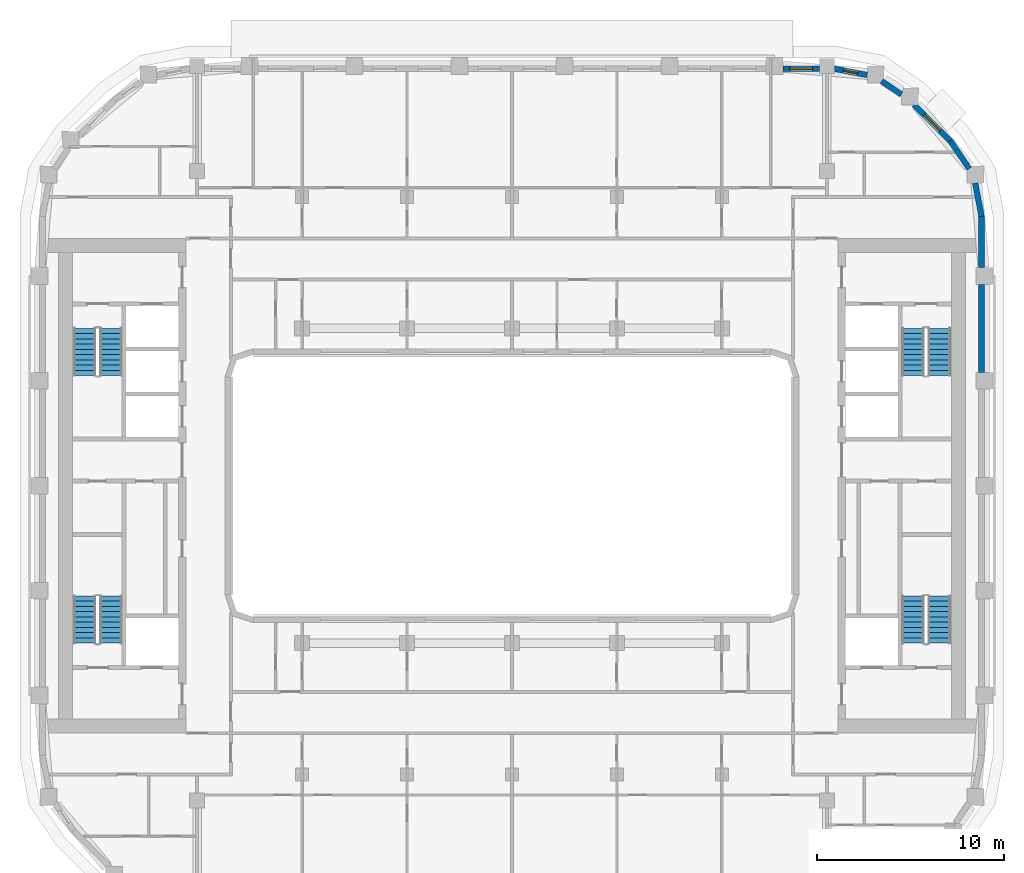
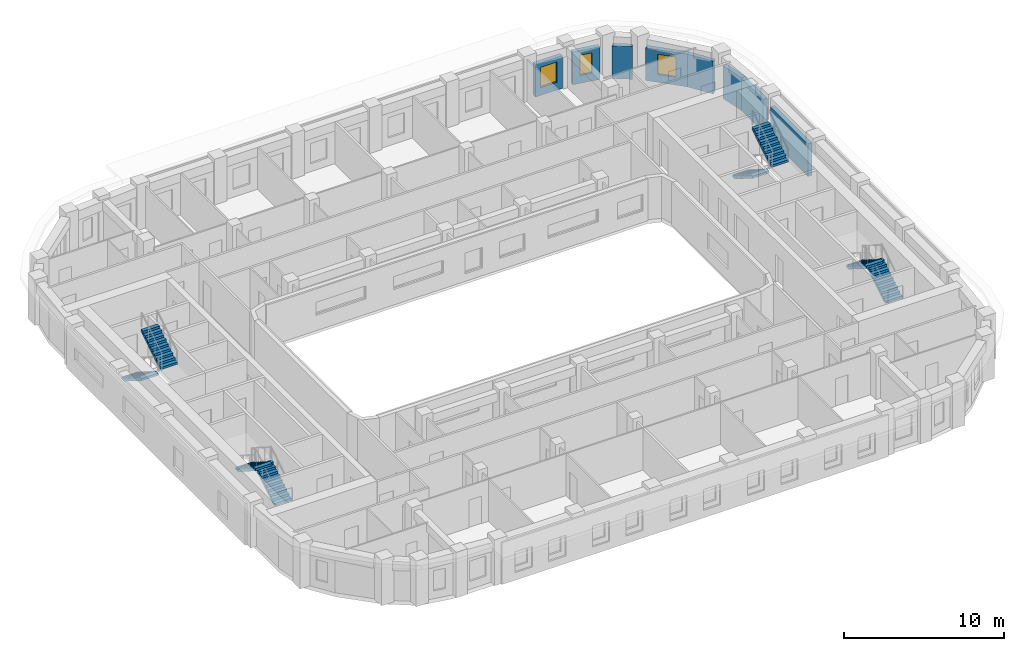
# One storey, part 9 of 20: 8 stair flights, 8 walls, 3 windows, 3 openings, 4 elements without a shape of their own.
"""IFC4 building model written with IfcOpenShell, lengths in metres."""

from ifc_helpers import new_model, si_unit, direction, frame, frame_2d, origin, place, context, subcontext, project, spatial, polyline, rectangle, outline, extrude, material, layer, layer_set, type_object, element, fill, aggregate, save


model = new_model("IFC4")

# Units and contexts
model_context = context("Model", 3, precision=1e-05, world=origin(), true_north=direction((0.0, 1.0)))
body_context = subcontext(model_context, "Body", "Model", "MODEL_VIEW")
ifc_project = project(units=[si_unit("LENGTHUNIT", "METRE"), si_unit("AREAUNIT", "SQUARE_METRE"), si_unit("VOLUMEUNIT", "CUBIC_METRE"), si_unit("PLANEANGLEUNIT", "RADIAN"), si_unit("MASSUNIT", "GRAM", prefix="KILO")], contexts=[model_context])

# Site, building, storey
site_placement = place(None, origin())
site = spatial("IfcSite", under=ifc_project, at=site_placement, CompositionType="ELEMENT")
building_placement = place(site_placement, origin())
building = spatial("IfcBuilding", under=site, at=building_placement, Name="Kiln Ring Residences", CompositionType="ELEMENT")
storey_placement = place(building_placement, frame((0.0, 0.0, 206.39990234375)))
storey = spatial("IfcBuildingStorey", under=building, at=storey_placement, Name="L53", CompositionType="ELEMENT", Elevation=206.39990234375)

# Walls
ifc_material_1 = material(Name="Brick masonry, dark clay brick", Category="masonry")
ifc_layer = layer(ifc_material_1, 0.300048828125)
ifc_layer_set = layer_set([ifc_layer], Name="EW-300 BRICK WALL")
wall_type = type_object("IfcWallType", Name="EW-300 BRICK WALL", PredefinedType="SOLIDWALL", material=ifc_layer_set)
wall_1_placement = place(storey_placement, frame((25.050048828125, 6.050048828125, 0.0), z_axis=(0.0, 0.0, 1.0), x_axis=(0.0, 1.0, 0.0)))
element("IfcWall", 1, at=wall_1_placement, inside=storey, type_object=wall_type, Name="Facade wall L53 20", PredefinedType="SOLIDWALL", context=body_context, shape_type="SweptSolid", body=[
    extrude(rectangle(XDim=4.699951171875, YDim=0.300048828125, at=frame_2d((2.35009765625, 0.0))), origin(), (0.0, 0.0, 1.0), 2.5),
])
wall_2_placement = place(storey_placement, frame((25.050048828125, 11.64990234375, 0.0), z_axis=(0.0, 0.0, 1.0), x_axis=(0.0, 1.0, 0.0)))
element("IfcWall", 2, at=wall_2_placement, inside=storey, type_object=wall_type, Name="Facade wall L53 21", PredefinedType="SOLIDWALL", context=body_context, shape_type="SweptSolid", body=[
    extrude(rectangle(XDim=2.75, YDim=0.300048828125, at=frame_2d((1.375, 0.0))), origin(), (0.0, 0.0, 1.0), 2.5),
])
for number, where, z_axis, x_axis, name in (
    (3, (25.052734375, 14.371826171875, 0.0), (0.0, 0.0, 1.0), (-0.187348135549, 0.982293579388, 0.0), "Facade wall L53 22"),
    (4, (24.39404296875, 16.9189453125, 0.0), (0.0, 0.0, 1.0), (-0.562040093569, 0.827109988588, 0.0), "Facade wall L53 23"),
):
    element("IfcWall", number, at=place(storey_placement, frame(where, z_axis=z_axis, x_axis=x_axis)), inside=storey, type_object=wall_type, Name=name, PredefinedType="SOLIDWALL", context=body_context, shape_type="SweptSolid", body=[
        extrude(rectangle(XDim=1.80615234375, YDim=0.300048828125, at=frame_2d((0.903076171875, 0.0))), origin(), (0.0, 0.0, 1.0), 2.5),
    ])

# Wall, opening, window
wall_3_placement = place(storey_placement, frame((23.39697265625, 18.390869140625, 0.0), z_axis=(0.0, 0.0, 1.0), x_axis=(-0.707106781187, 0.707106781187, 0.0)))
wall_3 = element("IfcWall", 5, at=wall_3_placement, inside=storey, type_object=wall_type, Name="Facade wall L53 24", PredefinedType="SOLIDWALL", context=body_context, shape_type="SweptSolid", body=[
    extrude(rectangle(XDim=2.75, YDim=0.300048828125, at=frame_2d((1.375, 0.0))), origin(), (0.0, 0.0, 1.0), 2.5),
])
opening_1_placement = place(wall_3_placement, frame((0.77490234375, 0.0, 0.60009765625)))
opening_1 = element("IfcOpeningElement", 6, at=opening_1_placement, cuts=wall_3, Name="Opening W1", PredefinedType="OPENING", context=body_context, shape_type="SweptSolid", body=[
    extrude(rectangle(XDim=1.199951171875, YDim=1.550048828125, at=frame_2d((0.60009765625, 0.77490234375))), frame((0.0, 0.159912109375, 0.0), z_axis=(0.0, -1.0, 0.0), x_axis=(1.0, 0.0, 0.0)), (0.0, 0.0, 1.0), 0.320068359375),
])
ifc_material_2 = material(Name="Aluminium frame with double glazing", Category="aluminium")
window_type_1 = type_object("IfcWindowType", Name="WINDOW 1200 x 1550", PartitioningType="SINGLE_PANEL", PredefinedType="WINDOW", material=ifc_material_2)
window_1_placement = place(opening_1_placement, origin())
window_1 = element("IfcWindow", 7, at=window_1_placement, inside=storey, type_object=window_type_1, Name="Window L53 17", OverallHeight=1.550048828125, OverallWidth=1.199951171875, PartitioningType="SINGLE_PANEL", PredefinedType="WINDOW", context=body_context, shape_type="SweptSolid", body=[
    extrude(rectangle(XDim=1.199951171875, YDim=1.550048828125, at=frame_2d((0.60009765625, 0.77490234375))), frame((0.0, 0.030029296875, 0.0), z_axis=(0.0, -1.0, 0.0), x_axis=(1.0, 0.0, 0.0)), (0.0, 0.0, 1.0), 0.06005859375),
])
fill(opening_1, window_1)

# Wall
wall_4_placement = place(storey_placement, frame((20.775146484375, 20.876220703125, 0.0), z_axis=(0.0, 0.0, 1.0), x_axis=(-0.827075824828, 0.562090366388, 0.0)))
element("IfcWall", 8, at=wall_4_placement, inside=storey, type_object=wall_type, Name="Facade wall L53 25", PredefinedType="SOLIDWALL", context=body_context, shape_type="SweptSolid", body=[
    extrude(rectangle(XDim=1.27685546875, YDim=0.300048828125, at=frame_2d((0.638427734375, 0.0))), origin(), (0.0, 0.0, 1.0), 2.5),
])

# Wall, opening, window
wall_5_placement = place(storey_placement, frame((18.946044921875, 21.914306640625, 0.0), z_axis=(0.0, 0.0, 1.0), x_axis=(-0.98230529033, 0.187286722942, 0.0)))
wall_5 = element("IfcWall", 9, at=wall_5_placement, inside=storey, type_object=wall_type, Name="Facade wall L53 26", PredefinedType="SOLIDWALL", context=body_context, shape_type="SweptSolid", body=[
    extrude(rectangle(XDim=1.798828125, YDim=0.300048828125, at=frame_2d((0.8994140625, 0.0))), origin(), (0.0, 0.0, 1.0), 2.5),
])
opening_2_placement = place(wall_5_placement, frame((0.49951171875, 0.0, 0.60009765625)))
opening_2 = element("IfcOpeningElement", 10, at=opening_2_placement, cuts=wall_5, Name="Opening W5", PredefinedType="OPENING", context=body_context, shape_type="SweptSolid", body=[
    extrude(rectangle(XDim=0.800048828125, YDim=1.550048828125, at=frame_2d((0.39990234375, 0.77490234375))), frame((0.0, 0.159912109375, 0.0), z_axis=(0.0, -1.0, 0.0), x_axis=(1.0, 0.0, 0.0)), (0.0, 0.0, 1.0), 0.320068359375),
])
ifc_material_3 = material(Name="Aluminium frame with double glazing", Category="aluminium")
window_type_2 = type_object("IfcWindowType", Name="WINDOW 800 x 1550", PartitioningType="SINGLE_PANEL", PredefinedType="WINDOW", material=ifc_material_3)
window_2_placement = place(opening_2_placement, origin())
window_2 = element("IfcWindow", 11, at=window_2_placement, inside=storey, type_object=window_type_2, Name="Window L53 18", OverallHeight=1.550048828125, OverallWidth=0.800048828125, PartitioningType="SINGLE_PANEL", PredefinedType="WINDOW", context=body_context, shape_type="SweptSolid", body=[
    extrude(rectangle(XDim=0.800048828125, YDim=1.550048828125, at=frame_2d((0.39990234375, 0.77490234375))), frame((0.0, 0.030029296875, 0.0), z_axis=(0.0, -1.0, 0.0), x_axis=(1.0, 0.0, 0.0)), (0.0, 0.0, 1.0), 0.06005859375),
])
fill(opening_2, window_2)

wall_6_placement = place(storey_placement, frame((16.39990234375, 22.25, 0.0), z_axis=(0.0, 0.0, 1.0), x_axis=(-1.0, 0.0, 0.0)))
wall_6 = element("IfcWall", 12, at=wall_6_placement, inside=storey, type_object=wall_type, Name="Facade wall L53 27", PredefinedType="SOLIDWALL", context=body_context, shape_type="SweptSolid", body=[
    extrude(rectangle(XDim=1.949951171875, YDim=0.300048828125, at=frame_2d((0.97509765625, 0.0))), origin(), (0.0, 0.0, 1.0), 2.5),
])
opening_3_placement = place(wall_6_placement, frame((0.375, 0.0, 0.60009765625)))
opening_3 = element("IfcOpeningElement", 13, at=opening_3_placement, cuts=wall_6, Name="Opening W1", PredefinedType="OPENING", context=body_context, shape_type="SweptSolid", body=[
    extrude(rectangle(XDim=1.199951171875, YDim=1.550048828125, at=frame_2d((0.60009765625, 0.77490234375))), frame((0.0, 0.159912109375, 0.0), z_axis=(0.0, -1.0, 0.0), x_axis=(1.0, 0.0, 0.0)), (0.0, 0.0, 1.0), 0.320068359375),
])
window_3_placement = place(opening_3_placement, origin())
window_3 = element("IfcWindow", 14, at=window_3_placement, inside=storey, type_object=window_type_1, Name="Window L53 19", OverallHeight=1.550048828125, OverallWidth=1.199951171875, PartitioningType="SINGLE_PANEL", PredefinedType="WINDOW", context=body_context, shape_type="SweptSolid", body=[
    extrude(rectangle(XDim=1.199951171875, YDim=1.550048828125, at=frame_2d((0.60009765625, 0.77490234375))), frame((0.0, 0.030029296875, 0.0), z_axis=(0.0, -1.0, 0.0), x_axis=(1.0, 0.0, 0.0)), (0.0, 0.0, 1.0), 0.06005859375),
])
fill(opening_3, window_3)

# Stair, stair flights
ifc_material_4 = material(Name="Concrete C40/50", Category="concrete")
stair_type = type_object("IfcStairType", Name="CORE-STAIR", PredefinedType="HALF_TURN_STAIR", material=ifc_material_4)
placement = place(storey_placement, origin())
stair_1 = element("IfcStair", 15, at=placement, inside=storey, type_object=stair_type, Name="L53 stair W-STN", PredefinedType="HALF_TURN_STAIR")
ifc_material_5 = material(Name="Concrete C40/50", Category="concrete")
stair_flight_type = type_object("IfcStairFlightType", Name="CORE-STAIR-FLIGHT", PredefinedType="STRAIGHT", material=ifc_material_5)
stair_flight_1_placement = place(storey_placement, frame((-22.800048828125, 8.39990234375, 0.0), z_axis=(0.0, 0.0, 1.0), x_axis=(0.0, -1.0, 0.0)))
stair_flight_1 = element("IfcStairFlight", 16, at=stair_flight_1_placement, type_object=stair_flight_type, Name="W-STN flight 1", NumberOfRisers=10, NumberOfTreads=9, PredefinedType="STRAIGHT", RiserHeight=0.175, TreadLength=0.28, context=body_context, shape_type="SweptSolid", body=[
    extrude(outline(polyline([(0.0, 0.0), (0.0, 0.175048828125), (0.280029296875, 0.175048828125), (0.280029296875, 0.35009765625), (0.56005859375, 0.35009765625), (0.56005859375, 0.52490234375), (0.840087890625, 0.52490234375), (0.840087890625, 0.699951171875), (1.1201171875, 0.699951171875), (1.1201171875, 0.875), (1.39990234375, 0.875), (1.39990234375, 1.050048828125), (1.679931640625, 1.050048828125), (1.679931640625, 1.22509765625), (1.9599609375, 1.22509765625), (1.9599609375, 1.39990234375), (2.239990234375, 1.39990234375), (2.239990234375, 1.574951171875), (2.52001953125, 1.574951171875), (2.52001953125, 1.75), (2.52001953125, 1.398193359375), (0.28271484375, 0.0), (0.0, 0.0)])), frame((0.0, 0.60009765625, 0.0), z_axis=(0.0, -1.0, 0.0), x_axis=(1.0, 0.0, 0.0)), (0.0, 0.0, 1.0), 1.199951171875),
])
stair_flight_2_placement = place(storey_placement, frame((-21.39990234375, 5.8798828125, 1.75), z_axis=(0.0, 0.0, 1.0), x_axis=(0.0, 1.0, 0.0)))
stair_flight_2 = element("IfcStairFlight", 17, at=stair_flight_2_placement, type_object=stair_flight_type, Name="W-STN flight 2", NumberOfRisers=10, NumberOfTreads=9, PredefinedType="STRAIGHT", RiserHeight=0.175, TreadLength=0.28, context=body_context, shape_type="SweptSolid", body=[
    extrude(outline(polyline([(0.0, 0.0), (0.0, 0.175048828125), (0.280029296875, 0.175048828125), (0.280029296875, 0.35009765625), (0.56005859375, 0.35009765625), (0.56005859375, 0.52490234375), (0.840087890625, 0.52490234375), (0.840087890625, 0.699951171875), (1.1201171875, 0.699951171875), (1.1201171875, 0.875), (1.39990234375, 0.875), (1.39990234375, 1.050048828125), (1.679931640625, 1.050048828125), (1.679931640625, 1.22509765625), (1.9599609375, 1.22509765625), (1.9599609375, 1.39990234375), (2.239990234375, 1.39990234375), (2.239990234375, 1.574951171875), (2.52001953125, 1.574951171875), (2.52001953125, 1.75), (2.52001953125, 1.398193359375), (0.28271484375, 0.0), (0.0, 0.0)])), frame((0.0, 0.60009765625, 0.0), z_axis=(0.0, -1.0, 0.0), x_axis=(1.0, 0.0, 0.0)), (0.0, 0.0, 1.0), 1.199951171875),
])
aggregate(stair_1, [stair_flight_1, stair_flight_2])

stair_2 = element("IfcStair", 18, at=placement, inside=storey, type_object=stair_type, Name="L53 stair W-STS", PredefinedType="HALF_TURN_STAIR")
stair_flight_3_placement = place(storey_placement, frame((-21.39990234375, -8.39990234375, 0.0), z_axis=(0.0, 0.0, 1.0), x_axis=(0.0, 1.0, 0.0)))
stair_flight_3 = element("IfcStairFlight", 19, at=stair_flight_3_placement, type_object=stair_flight_type, Name="W-STS flight 1", NumberOfRisers=10, NumberOfTreads=9, PredefinedType="STRAIGHT", RiserHeight=0.175, TreadLength=0.28, context=body_context, shape_type="SweptSolid", body=[
    extrude(outline(polyline([(0.0, 0.0), (0.0, 0.175048828125), (0.280029296875, 0.175048828125), (0.280029296875, 0.35009765625), (0.56005859375, 0.35009765625), (0.56005859375, 0.52490234375), (0.840087890625, 0.52490234375), (0.840087890625, 0.699951171875), (1.1201171875, 0.699951171875), (1.1201171875, 0.875), (1.39990234375, 0.875), (1.39990234375, 1.050048828125), (1.679931640625, 1.050048828125), (1.679931640625, 1.22509765625), (1.9599609375, 1.22509765625), (1.9599609375, 1.39990234375), (2.239990234375, 1.39990234375), (2.239990234375, 1.574951171875), (2.52001953125, 1.574951171875), (2.52001953125, 1.75), (2.52001953125, 1.398193359375), (0.28271484375, 0.0), (0.0, 0.0)])), frame((0.0, 0.60009765625, 0.0), z_axis=(0.0, -1.0, 0.0), x_axis=(1.0, 0.0, 0.0)), (0.0, 0.0, 1.0), 1.199951171875),
])
stair_flight_4_placement = place(storey_placement, frame((-22.800048828125, -5.8798828125, 1.75), z_axis=(0.0, 0.0, 1.0), x_axis=(0.0, -1.0, 0.0)))
stair_flight_4 = element("IfcStairFlight", 20, at=stair_flight_4_placement, type_object=stair_flight_type, Name="W-STS flight 2", NumberOfRisers=10, NumberOfTreads=9, PredefinedType="STRAIGHT", RiserHeight=0.175, TreadLength=0.28, context=body_context, shape_type="SweptSolid", body=[
    extrude(outline(polyline([(0.0, 0.0), (0.0, 0.175048828125), (0.280029296875, 0.175048828125), (0.280029296875, 0.35009765625), (0.56005859375, 0.35009765625), (0.56005859375, 0.52490234375), (0.840087890625, 0.52490234375), (0.840087890625, 0.699951171875), (1.1201171875, 0.699951171875), (1.1201171875, 0.875), (1.39990234375, 0.875), (1.39990234375, 1.050048828125), (1.679931640625, 1.050048828125), (1.679931640625, 1.22509765625), (1.9599609375, 1.22509765625), (1.9599609375, 1.39990234375), (2.239990234375, 1.39990234375), (2.239990234375, 1.574951171875), (2.52001953125, 1.574951171875), (2.52001953125, 1.75), (2.52001953125, 1.398193359375), (0.28271484375, 0.0), (0.0, 0.0)])), frame((0.0, 0.60009765625, 0.0), z_axis=(0.0, -1.0, 0.0), x_axis=(1.0, 0.0, 0.0)), (0.0, 0.0, 1.0), 1.199951171875),
])
aggregate(stair_2, [stair_flight_3, stair_flight_4])

stair_3 = element("IfcStair", 21, at=placement, inside=storey, type_object=stair_type, Name="L53 stair E-STN", PredefinedType="HALF_TURN_STAIR")
stair_flight_5_placement = place(storey_placement, frame((21.39990234375, 8.39990234375, 0.0), z_axis=(0.0, 0.0, 1.0), x_axis=(0.0, -1.0, 0.0)))
stair_flight_5 = element("IfcStairFlight", 22, at=stair_flight_5_placement, type_object=stair_flight_type, Name="E-STN flight 1", NumberOfRisers=10, NumberOfTreads=9, PredefinedType="STRAIGHT", RiserHeight=0.175, TreadLength=0.28, context=body_context, shape_type="SweptSolid", body=[
    extrude(outline(polyline([(0.0, 0.0), (0.0, 0.175048828125), (0.280029296875, 0.175048828125), (0.280029296875, 0.35009765625), (0.56005859375, 0.35009765625), (0.56005859375, 0.52490234375), (0.840087890625, 0.52490234375), (0.840087890625, 0.699951171875), (1.1201171875, 0.699951171875), (1.1201171875, 0.875), (1.39990234375, 0.875), (1.39990234375, 1.050048828125), (1.679931640625, 1.050048828125), (1.679931640625, 1.22509765625), (1.9599609375, 1.22509765625), (1.9599609375, 1.39990234375), (2.239990234375, 1.39990234375), (2.239990234375, 1.574951171875), (2.52001953125, 1.574951171875), (2.52001953125, 1.75), (2.52001953125, 1.398193359375), (0.28271484375, 0.0), (0.0, 0.0)])), frame((0.0, 0.60009765625, 0.0), z_axis=(0.0, -1.0, 0.0), x_axis=(1.0, 0.0, 0.0)), (0.0, 0.0, 1.0), 1.199951171875),
])
stair_flight_6_placement = place(storey_placement, frame((22.800048828125, 5.8798828125, 1.75), z_axis=(0.0, 0.0, 1.0), x_axis=(0.0, 1.0, 0.0)))
stair_flight_6 = element("IfcStairFlight", 23, at=stair_flight_6_placement, type_object=stair_flight_type, Name="E-STN flight 2", NumberOfRisers=10, NumberOfTreads=9, PredefinedType="STRAIGHT", RiserHeight=0.175, TreadLength=0.28, context=body_context, shape_type="SweptSolid", body=[
    extrude(outline(polyline([(0.0, 0.0), (0.0, 0.175048828125), (0.280029296875, 0.175048828125), (0.280029296875, 0.35009765625), (0.56005859375, 0.35009765625), (0.56005859375, 0.52490234375), (0.840087890625, 0.52490234375), (0.840087890625, 0.699951171875), (1.1201171875, 0.699951171875), (1.1201171875, 0.875), (1.39990234375, 0.875), (1.39990234375, 1.050048828125), (1.679931640625, 1.050048828125), (1.679931640625, 1.22509765625), (1.9599609375, 1.22509765625), (1.9599609375, 1.39990234375), (2.239990234375, 1.39990234375), (2.239990234375, 1.574951171875), (2.52001953125, 1.574951171875), (2.52001953125, 1.75), (2.52001953125, 1.398193359375), (0.28271484375, 0.0), (0.0, 0.0)])), frame((0.0, 0.60009765625, 0.0), z_axis=(0.0, -1.0, 0.0), x_axis=(1.0, 0.0, 0.0)), (0.0, 0.0, 1.0), 1.199951171875),
])
aggregate(stair_3, [stair_flight_5, stair_flight_6])

stair_4 = element("IfcStair", 24, at=placement, inside=storey, type_object=stair_type, Name="L53 stair E-STS", PredefinedType="HALF_TURN_STAIR")
stair_flight_7_placement = place(storey_placement, frame((22.800048828125, -8.39990234375, 0.0), z_axis=(0.0, 0.0, 1.0), x_axis=(0.0, 1.0, 0.0)))
stair_flight_7 = element("IfcStairFlight", 25, at=stair_flight_7_placement, type_object=stair_flight_type, Name="E-STS flight 1", NumberOfRisers=10, NumberOfTreads=9, PredefinedType="STRAIGHT", RiserHeight=0.175, TreadLength=0.28, context=body_context, shape_type="SweptSolid", body=[
    extrude(outline(polyline([(0.0, 0.0), (0.0, 0.175048828125), (0.280029296875, 0.175048828125), (0.280029296875, 0.35009765625), (0.56005859375, 0.35009765625), (0.56005859375, 0.52490234375), (0.840087890625, 0.52490234375), (0.840087890625, 0.699951171875), (1.1201171875, 0.699951171875), (1.1201171875, 0.875), (1.39990234375, 0.875), (1.39990234375, 1.050048828125), (1.679931640625, 1.050048828125), (1.679931640625, 1.22509765625), (1.9599609375, 1.22509765625), (1.9599609375, 1.39990234375), (2.239990234375, 1.39990234375), (2.239990234375, 1.574951171875), (2.52001953125, 1.574951171875), (2.52001953125, 1.75), (2.52001953125, 1.398193359375), (0.28271484375, 0.0), (0.0, 0.0)])), frame((0.0, 0.60009765625, 0.0), z_axis=(0.0, -1.0, 0.0), x_axis=(1.0, 0.0, 0.0)), (0.0, 0.0, 1.0), 1.199951171875),
])
stair_flight_8_placement = place(storey_placement, frame((21.39990234375, -5.8798828125, 1.75), z_axis=(0.0, 0.0, 1.0), x_axis=(0.0, -1.0, 0.0)))
stair_flight_8 = element("IfcStairFlight", 26, at=stair_flight_8_placement, type_object=stair_flight_type, Name="E-STS flight 2", NumberOfRisers=10, NumberOfTreads=9, PredefinedType="STRAIGHT", RiserHeight=0.175, TreadLength=0.28, context=body_context, shape_type="SweptSolid", body=[
    extrude(outline(polyline([(0.0, 0.0), (0.0, 0.175048828125), (0.280029296875, 0.175048828125), (0.280029296875, 0.35009765625), (0.56005859375, 0.35009765625), (0.56005859375, 0.52490234375), (0.840087890625, 0.52490234375), (0.840087890625, 0.699951171875), (1.1201171875, 0.699951171875), (1.1201171875, 0.875), (1.39990234375, 0.875), (1.39990234375, 1.050048828125), (1.679931640625, 1.050048828125), (1.679931640625, 1.22509765625), (1.9599609375, 1.22509765625), (1.9599609375, 1.39990234375), (2.239990234375, 1.39990234375), (2.239990234375, 1.574951171875), (2.52001953125, 1.574951171875), (2.52001953125, 1.75), (2.52001953125, 1.398193359375), (0.28271484375, 0.0), (0.0, 0.0)])), frame((0.0, 0.60009765625, 0.0), z_axis=(0.0, -1.0, 0.0), x_axis=(1.0, 0.0, 0.0)), (0.0, 0.0, 1.0), 1.199951171875),
])
aggregate(stair_4, [stair_flight_7, stair_flight_8])

save(model, "model.ifc")
